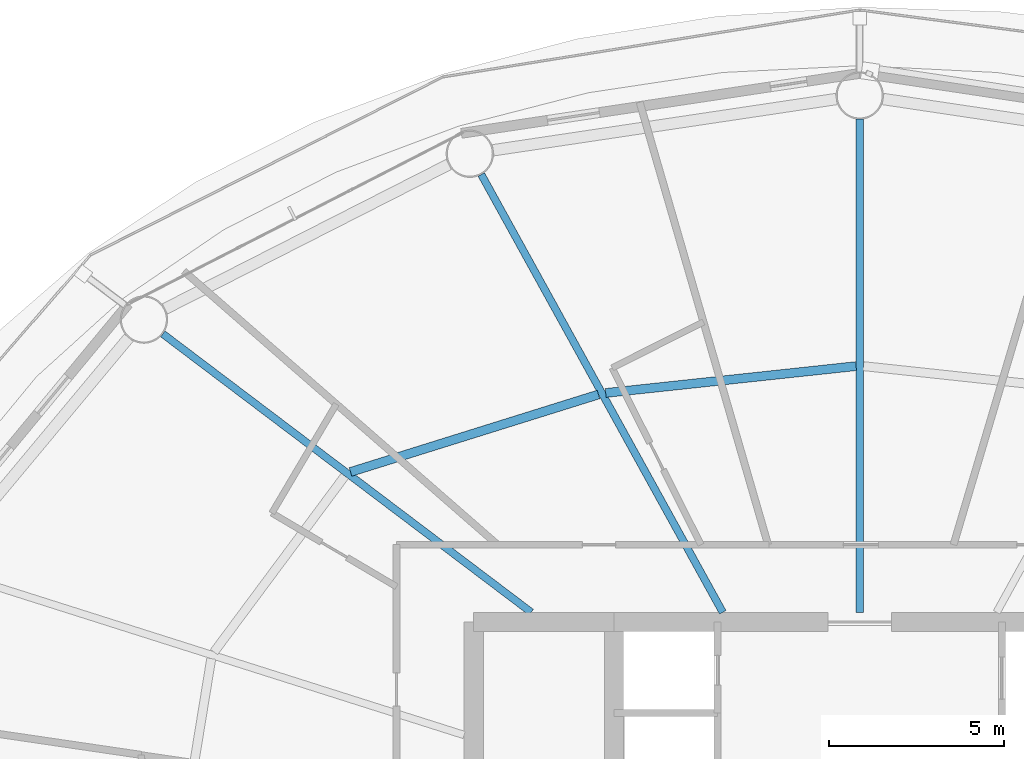
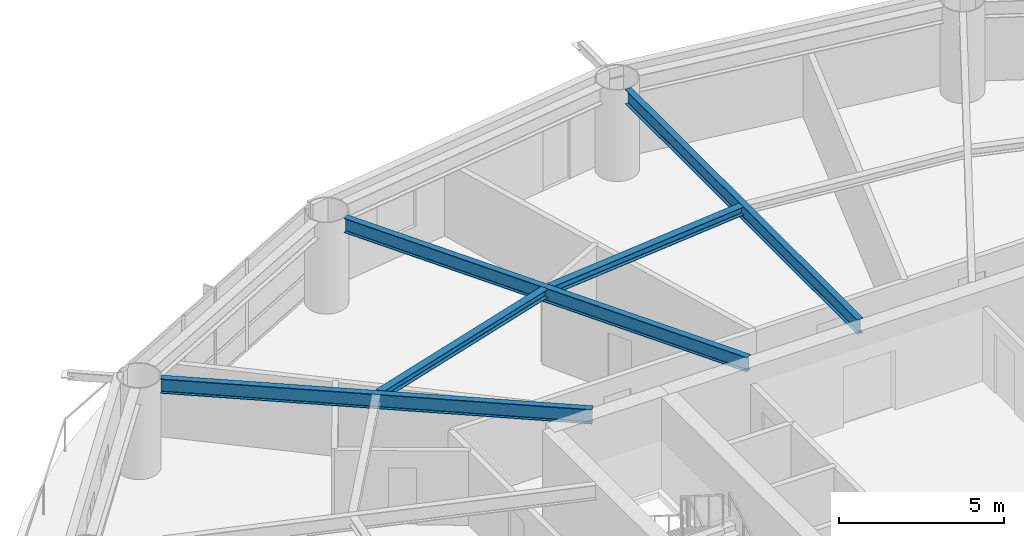
# One storey, part 9 of 24: 5 beams.
"""IFC4 building model written with IfcOpenShell, lengths in metres."""

from ifc_helpers import new_model, si_unit, direction, frame, origin, origin_2d, place, context, subcontext, project, spatial, i_section, extrude, material, material_profile, profile_set, type_object, element, save


model = new_model("IFC4")

# Units and contexts
model_context = context("Model", 3, precision=1e-05, world=origin(), true_north=direction((0.0, 1.0)))
body_context = subcontext(model_context, "Body", "Model", "MODEL_VIEW")
ifc_project = project(units=[si_unit("LENGTHUNIT", "METRE"), si_unit("AREAUNIT", "SQUARE_METRE"), si_unit("VOLUMEUNIT", "CUBIC_METRE"), si_unit("PLANEANGLEUNIT", "RADIAN"), si_unit("MASSUNIT", "GRAM", prefix="KILO")], contexts=[model_context])

# Site, building, storey
site_placement = place(None, origin())
site = spatial("IfcSite", under=ifc_project, at=site_placement, CompositionType="ELEMENT")
building_placement = place(site_placement, origin())
building = spatial("IfcBuilding", under=site, at=building_placement, Name="Sarneth Arch Tower", CompositionType="ELEMENT")
storey_placement = place(building_placement, frame((0.0, 0.0, 120.0)))
storey = spatial("IfcBuildingStorey", under=building, at=storey_placement, Name="L30", CompositionType="ELEMENT", Elevation=120.0)

# Beams
ifc_material_1 = material(Name="Steel S355", Category="steel")
ifc_material_profile_1 = material_profile(ifc_material_1, i_section(OverallWidth=0.25390625, OverallDepth=0.305908203125, WebThickness=0.0087890625, FlangeThickness=0.0146484375, FilletRadius=0.014892578125, at=origin_2d()), Name="W310x79")
ifc_profile_set_1 = profile_set([ifc_material_profile_1], Name="Steel S355")
beam_type_1 = type_object("IfcBeamType", Name="BM-JOIST-310A", PredefinedType="JOIST", material=ifc_profile_set_1)
beam_1_placement = place(storey_placement, frame((47.89501953125, 56.0888671875, 3.22705078125), z_axis=(-0.99429330851, -0.106680910441, 0.0), x_axis=(0.106680910441, -0.99429330851, 0.0)))
element("IfcBeam", 1, at=beam_1_placement, inside=storey, type_object=beam_type_1, Name="L30 Secondary floor joist 05", PredefinedType="JOIST", context=body_context, shape_type="SweptSolid", body=[
    extrude(i_section(OverallWidth=0.25390625, OverallDepth=0.305908203125, WebThickness=0.0087890625, FlangeThickness=0.0146484375, FilletRadius=0.014892578125, at=origin_2d()), origin(), (0.0, 0.0, 1.0), 7.174560546875),
])
beam_2_placement = place(storey_placement, frame((40.5556640625, 55.28076171875, 3.22705078125), z_axis=(-0.9544870201, -0.298252457594, 0.0), x_axis=(0.298252457594, -0.9544870201, 0.0)))
element("IfcBeam", 2, at=beam_2_placement, inside=storey, type_object=beam_type_1, Name="L30 Secondary floor joist 06", PredefinedType="JOIST", context=body_context, shape_type="SweptSolid", body=[
    extrude(i_section(OverallWidth=0.25390625, OverallDepth=0.305908203125, WebThickness=0.0087890625, FlangeThickness=0.0146484375, FilletRadius=0.014892578125, at=origin_2d()), origin(), (0.0, 0.0, 1.0), 7.40234375),
])
ifc_material_2 = material(Name="Steel S355", Category="steel")
ifc_material_profile_2 = material_profile(ifc_material_2, i_section(OverallWidth=0.2109375, OverallDepth=0.5390625, WebThickness=0.01171875, FlangeThickness=0.018798828125, FilletRadius=0.01806640625, at=origin_2d()), Name="W530x109")
ifc_profile_set_2 = profile_set([ifc_material_profile_2], Name="Steel S355")
beam_type_2 = type_object("IfcBeamType", Name="BM-RAD-530B", PredefinedType="BEAM", material=ifc_profile_set_2)
beam_3_placement = place(storey_placement, frame((48.0, 49.074951171875, 3.110595703125), z_axis=(0.0, 1.0, 0.0), x_axis=(-1.0, 0.0, 0.0)))
element("IfcBeam", 3, at=beam_3_placement, inside=storey, type_object=beam_type_2, Name="L30 Radial floor girder 05", PredefinedType="BEAM", context=body_context, shape_type="SweptSolid", body=[
    extrude(i_section(OverallWidth=0.2109375, OverallDepth=0.5390625, WebThickness=0.01171875, FlangeThickness=0.018798828125, FilletRadius=0.01806640625, at=origin_2d()), origin(), (0.0, 0.0, 1.0), 14.050048828125),
])
beam_4_placement = place(storey_placement, frame((44.09716796875, 49.074951171875, 3.110595703125), z_axis=(-0.48301301286, 0.875613173387, 0.0), x_axis=(-0.875613173387, -0.48301301286, 0.0)))
element("IfcBeam", 4, at=beam_4_placement, inside=storey, type_object=beam_type_2, Name="L30 Radial floor girder 06", PredefinedType="BEAM", context=body_context, shape_type="SweptSolid", body=[
    extrude(i_section(OverallWidth=0.2109375, OverallDepth=0.5390625, WebThickness=0.01171875, FlangeThickness=0.018798828125, FilletRadius=0.01806640625, at=origin_2d()), origin(), (0.0, 0.0, 1.0), 14.246826171875),
])
beam_5_placement = place(storey_placement, frame((38.63818359375, 49.074951171875, 3.110595703125), z_axis=(-0.797801476102, 0.602920230818, 0.0), x_axis=(-0.602920230818, -0.797801476102, 0.0)))
element("IfcBeam", 5, at=beam_5_placement, inside=storey, type_object=beam_type_2, Name="L30 Radial floor girder 07", PredefinedType="BEAM", context=body_context, shape_type="SweptSolid", body=[
    extrude(i_section(OverallWidth=0.2109375, OverallDepth=0.5390625, WebThickness=0.01171875, FlangeThickness=0.018798828125, FilletRadius=0.01806640625, at=origin_2d()), origin(), (0.0, 0.0, 1.0), 13.15771484375),
])

save(model, "model.ifc")
